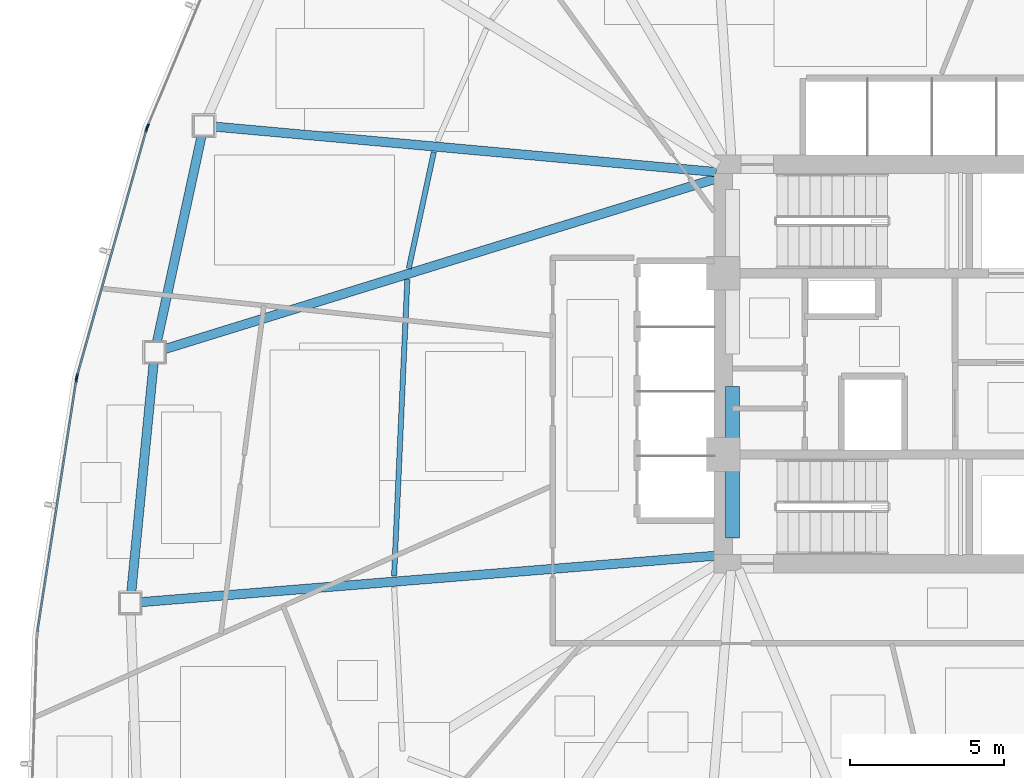
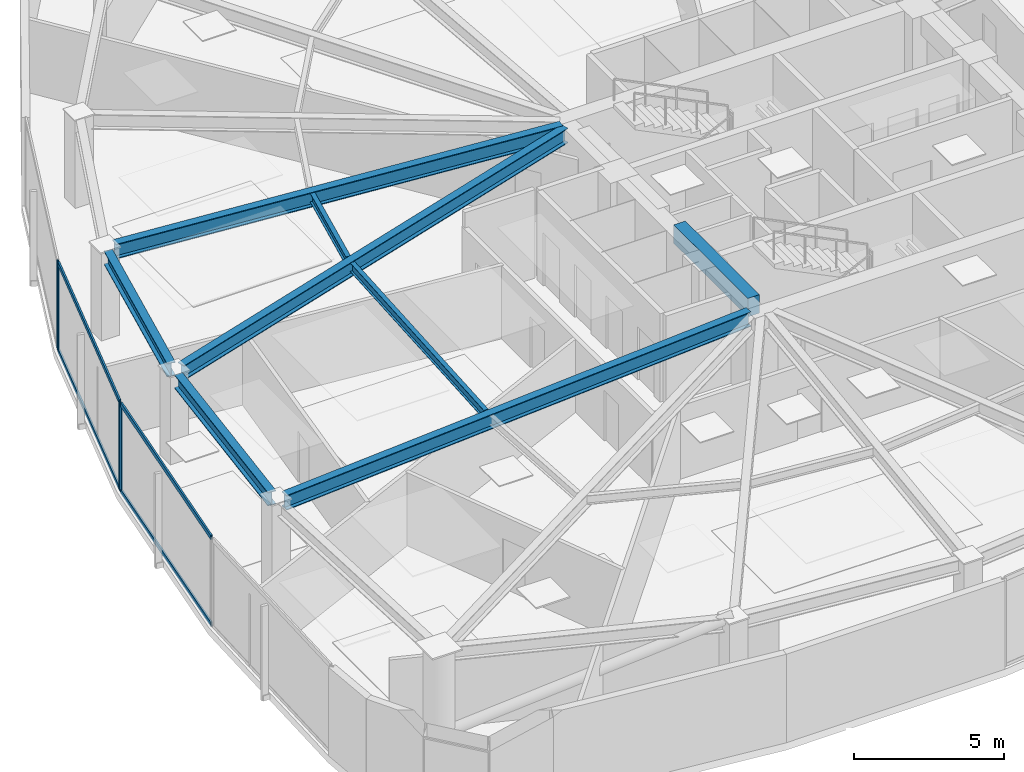
# One storey, part 4 of 17: 8 beams, 8 members, 3 elements without a shape of their own.
"""IFC4 building model written with IfcOpenShell, lengths in metres."""

from ifc_helpers import new_model, si_unit, direction, frame, origin, origin_2d, place, context, subcontext, project, spatial, rectangle, hollow_rectangle, i_section, extrude, source, transform, mapped, material, layer, layer_set, material_profile, profile_set, type_object, type_shapes, element, aggregate, save


model = new_model("IFC4")

# Units and contexts
model_context = context("Model", 3, precision=1e-05, world=origin(), true_north=direction((0.0, 1.0)))
body_context = subcontext(model_context, "Body", "Model", "MODEL_VIEW")
ifc_project = project(units=[si_unit("LENGTHUNIT", "METRE"), si_unit("AREAUNIT", "SQUARE_METRE"), si_unit("VOLUMEUNIT", "CUBIC_METRE"), si_unit("PLANEANGLEUNIT", "RADIAN"), si_unit("MASSUNIT", "GRAM", prefix="KILO")], contexts=[model_context])

# Site, building, storey
site_placement = place(None, origin())
site = spatial("IfcSite", under=ifc_project, at=site_placement, CompositionType="ELEMENT")
building_placement = place(site_placement, origin())
building = spatial("IfcBuilding", under=site, at=building_placement, Name="Tavelor Broadcast Tower", CompositionType="ELEMENT")
storey_placement = place(building_placement, frame((0.0, 0.0, 70.5)))
storey = spatial("IfcBuildingStorey", under=building, at=storey_placement, Name="L16", CompositionType="ELEMENT", Elevation=70.5)

# Beams
ifc_material_1 = material(Name="Concrete C40/50", Category="concrete")
ifc_material_profile_1 = material_profile(ifc_material_1, rectangle(XDim=0.449951171875, YDim=0.75, at=origin_2d()), Name="RC 450x750")
ifc_profile_set_1 = profile_set([ifc_material_profile_1], Name="Concrete C40/50")
beam_type_1 = type_object("IfcBeamType", Name="Basement Core Trim Beam 450x750", PredefinedType="BEAM", material=ifc_profile_set_1)
beam_1_placement = place(storey_placement, frame((43.39990234375, 39.327880859375, 3.22509765625), z_axis=(0.0, 1.0, 0.0), x_axis=(-1.0, 0.0, 0.0)))
element("IfcBeam", 1, at=beam_1_placement, inside=storey, type_object=beam_type_1, Name="L16 Core West-S Tie Girder", PredefinedType="BEAM", context=body_context, shape_type="SweptSolid", body=[
    extrude(rectangle(XDim=0.449951171875, YDim=0.75, at=origin_2d()), origin(), (0.0, 0.0, 1.0), 4.944091796875),
])
ifc_material_2 = material(Name="Steel S355", Category="steel")
ifc_material_profile_2 = material_profile(ifc_material_2, i_section(OverallWidth=0.169921875, OverallDepth=0.360107421875, WebThickness=0.008056640625, FlangeThickness=0.0126953125, at=origin_2d()), Name="IPE 360")
ifc_profile_set_2 = profile_set([ifc_material_profile_2], Name="Steel S355")
beam_type_2 = type_object("IfcBeamType", Name="Composite Floor Joist T2 IPE 360", PredefinedType="JOIST", material=ifc_profile_set_2)
beam_2_placement = place(storey_placement, frame((33.679931640625, 51.899658203125, 3.419921875), z_axis=(-0.210632825907, -0.97756524726, 0.0), x_axis=(0.97756524726, -0.210632825907, 0.0)))
element("IfcBeam", 2, at=beam_2_placement, inside=storey, type_object=beam_type_2, Name="L16 Secondary Composite Floor Joist 04", PredefinedType="JOIST", context=body_context, shape_type="SweptSolid", body=[
    extrude(i_section(OverallWidth=0.169921875, OverallDepth=0.360107421875, WebThickness=0.008056640625, FlangeThickness=0.0126953125, at=origin_2d()), origin(), (0.0, 0.0, 1.0), 3.8818359375),
])
beam_3_placement = place(storey_placement, frame((32.816162109375, 47.747314453125, 3.419921875), z_axis=(-0.044602263152, -0.999004823873, 0.0), x_axis=(0.999004823873, -0.044602263152, 0.0)))
element("IfcBeam", 3, at=beam_3_placement, inside=storey, type_object=beam_type_2, Name="L16 Secondary Composite Floor Joist 05", PredefinedType="JOIST", context=body_context, shape_type="SweptSolid", body=[
    extrude(i_section(OverallWidth=0.169921875, OverallDepth=0.360107421875, WebThickness=0.008056640625, FlangeThickness=0.0126953125, at=origin_2d()), origin(), (0.0, 0.0, 1.0), 9.66650390625),
])
ifc_material_profile_3 = material_profile(ifc_material_2, i_section(OverallWidth=0.300048828125, OverallDepth=0.550048828125, WebThickness=0.014892578125, FlangeThickness=0.029052734375, at=origin_2d()), Name="HEB 550")
ifc_profile_set_3 = profile_set([ifc_material_profile_3], Name="Steel S355")
beam_type_3 = type_object("IfcBeamType", Name="Perimeter Spandrel Beam T2 HEB 550", PredefinedType="SPANDREL", material=ifc_profile_set_3)
beam_4_placement = place(storey_placement, frame((26.1181640625, 52.4296875, 3.324951171875), z_axis=(-0.211875421449, -0.977296682582, 0.0), x_axis=(0.977296682582, -0.211875421449, 0.0)))
element("IfcBeam", 4, at=beam_4_placement, inside=storey, type_object=beam_type_3, Name="L16 Framed-Tube Ring Spandrel 04", PredefinedType="SPANDREL", context=body_context, shape_type="SweptSolid", body=[
    extrude(i_section(OverallWidth=0.300048828125, OverallDepth=0.550048828125, WebThickness=0.014892578125, FlangeThickness=0.029052734375, at=origin_2d()), origin(), (0.0, 0.0, 1.0), 6.876708984375),
])
beam_5_placement = place(storey_placement, frame((24.557373046875, 45.04638671875, 3.324951171875), z_axis=(-0.096929220198, -0.9952912771, 0.0), x_axis=(0.9952912771, -0.096929220198, 0.0)))
element("IfcBeam", 5, at=beam_5_placement, inside=storey, type_object=beam_type_3, Name="L16 Framed-Tube Ring Spandrel 05", PredefinedType="SPANDREL", context=body_context, shape_type="SweptSolid", body=[
    extrude(i_section(OverallWidth=0.300048828125, OverallDepth=0.550048828125, WebThickness=0.014892578125, FlangeThickness=0.029052734375, at=origin_2d()), origin(), (0.0, 0.0, 1.0), 7.531005859375),
])
ifc_material_profile_4 = material_profile(ifc_material_2, i_section(OverallWidth=0.300048828125, OverallDepth=0.60009765625, WebThickness=0.015380859375, FlangeThickness=0.030029296875, at=origin_2d()), Name="HEB 600")
ifc_profile_set_4 = profile_set([ifc_material_profile_4], Name="Steel S355")
beam_type_4 = type_object("IfcBeamType", Name="Radial Floor Girder T2 HEB 600", PredefinedType="BEAM", material=ifc_profile_set_4)
beam_6_placement = place(storey_placement, frame((42.874267578125, 51.24755859375, 3.300048828125), z_axis=(-0.99592702313, 0.090162989073, 0.0), x_axis=(-0.090162989073, -0.99592702313, 0.0)))
element("IfcBeam", 6, at=beam_6_placement, inside=storey, type_object=beam_type_4, Name="L16 Radial Primary Floor Girder 04", PredefinedType="BEAM", context=body_context, shape_type="SweptSolid", body=[
    extrude(i_section(OverallWidth=0.300048828125, OverallDepth=0.60009765625, WebThickness=0.015380859375, FlangeThickness=0.030029296875, at=origin_2d()), origin(), (0.0, 0.0, 1.0), 16.417236328125),
])
beam_7_placement = place(storey_placement, frame((42.8955078125, 51.0439453125, 3.300048828125), z_axis=(-0.9553264377, -0.295552698231, 0.0), x_axis=(0.295552698231, -0.9553264377, 0.0)))
element("IfcBeam", 7, at=beam_7_placement, inside=storey, type_object=beam_type_4, Name="L16 Radial Primary Floor Girder 05", PredefinedType="BEAM", context=body_context, shape_type="SweptSolid", body=[
    extrude(i_section(OverallWidth=0.300048828125, OverallDepth=0.60009765625, WebThickness=0.015380859375, FlangeThickness=0.030029296875, at=origin_2d()), origin(), (0.0, 0.0, 1.0), 18.82568359375),
])
beam_8_placement = place(storey_placement, frame((42.873779296875, 38.757568359375, 3.300048828125), z_axis=(-0.996753141144, -0.080518169498, 0.0), x_axis=(0.080518169498, -0.996753141144, 0.0)))
element("IfcBeam", 8, at=beam_8_placement, inside=storey, type_object=beam_type_4, Name="L16 Radial Primary Floor Girder 06", PredefinedType="BEAM", context=body_context, shape_type="SweptSolid", body=[
    extrude(i_section(OverallWidth=0.300048828125, OverallDepth=0.60009765625, WebThickness=0.015380859375, FlangeThickness=0.030029296875, at=origin_2d()), origin(), (0.0, 0.0, 1.0), 18.80517578125),
])

# Curtain wall, member
ifc_material_3 = material(Name="Architectural Anodized Aluminium", Category="aluminium")
ifc_layer = layer(ifc_material_3, 0.179931640625)
ifc_layer_set = layer_set([ifc_layer], Name="Architectural Anodized Aluminium")
curtain_wall_type = type_object("IfcCurtainWallType", Name="Tower Low-Zone Unitised Curtain Wall CW02", PredefinedType="NOTDEFINED", material=ifc_layer_set)
curtain_wall_1_placement = place(storey_placement, origin())
curtain_wall_1 = element("IfcCurtainWall", 9, at=curtain_wall_1_placement, inside=storey, type_object=curtain_wall_type, Name="L16 Curtain Wall CW02 Run 145", PredefinedType="NOTDEFINED")
ifc_material_profile_5 = material_profile(ifc_material_3, hollow_rectangle(XDim=0.06494140625, YDim=0.179931640625, WallThickness=0.02197265625, at=origin_2d()), Name="RHS 65x180x22")
ifc_profile_set_5 = profile_set([ifc_material_profile_5], Name="Architectural Anodized Aluminium")
member_type_1 = type_object("IfcMemberType", Name="CW02 Extruded Aluminium Mullion 65x180", PredefinedType="MULLION", material=ifc_profile_set_5)
shared_shape_1 = source(origin(), body_context, "Body", "SweptSolid", [
    extrude(hollow_rectangle(XDim=0.06494140625, YDim=0.179931640625, WallThickness=0.02197265625, at=origin_2d()), origin(), (0.0, 0.0, 1.0), 3.60009765625),
])
type_shapes(member_type_1, [shared_shape_1])
member_1_placement = place(storey_placement, frame((24.35791015625, 52.72607421875, 0.0), z_axis=(0.0, 0.0, 1.0), x_axis=(0.922706747072, -0.385502605579, 0.0)))
member_1 = element("IfcMember", 10, at=member_1_placement, type_object=member_type_1, Name="CW02 mullion 2", PredefinedType="MULLION", context=body_context, shape_type="MappedRepresentation", body=[
    mapped(shared_shape_1, transform((0.0, 0.0, 0.0), scale=1.0)),
])
aggregate(curtain_wall_1, [member_1])

# Curtain wall, members
curtain_wall_2_placement = place(storey_placement, origin())
curtain_wall_2 = element("IfcCurtainWall", 11, at=curtain_wall_2_placement, inside=storey, type_object=curtain_wall_type, Name="L16 Curtain Wall CW02 Run 146", PredefinedType="NOTDEFINED")
member_2_placement = place(storey_placement, frame((24.326904296875, 52.636474609375, 0.0), z_axis=(0.0, 0.0, 1.0), x_axis=(0.962571566697, -0.271027635098, 0.0)))
member_2 = element("IfcMember", 12, at=member_2_placement, type_object=member_type_1, Name="CW02 mullion 1", PredefinedType="MULLION", context=body_context, shape_type="MappedRepresentation", body=[
    mapped(shared_shape_1, transform((0.0, 0.0, 0.0), scale=1.0)),
])
member_3_placement = place(storey_placement, frame((22.062744140625, 44.595458984375, 0.0), z_axis=(0.0, 0.0, 1.0), x_axis=(0.962571566697, -0.271027635098, 0.0)))
member_3 = element("IfcMember", 13, at=member_3_placement, type_object=member_type_1, Name="CW02 mullion 2", PredefinedType="MULLION", context=body_context, shape_type="MappedRepresentation", body=[
    mapped(shared_shape_1, transform((0.0, 0.0, 0.0), scale=1.0)),
])

# Curtain wall, member
curtain_wall_3_placement = place(storey_placement, origin())
curtain_wall_3 = element("IfcCurtainWall", 14, at=curtain_wall_3_placement, inside=storey, type_object=curtain_wall_type, Name="L16 Curtain Wall CW02 Run 147", PredefinedType="NOTDEFINED")
member_4_placement = place(storey_placement, frame((22.042724609375, 44.502685546875, 0.0), z_axis=(0.0, 0.0, 1.0), x_axis=(0.988296598342, -0.152544530238, 0.0)))
member_4 = element("IfcMember", 15, at=member_4_placement, type_object=member_type_1, Name="CW02 mullion 1", PredefinedType="MULLION", context=body_context, shape_type="MappedRepresentation", body=[
    mapped(shared_shape_1, transform((0.0, 0.0, 0.0), scale=1.0)),
])

# Member
ifc_material_profile_6 = material_profile(ifc_material_3, hollow_rectangle(XDim=0.06494140625, YDim=0.179931640625, WallThickness=0.02197265625, at=origin_2d()), Name="RHS 65x180x22")
ifc_profile_set_6 = profile_set([ifc_material_profile_6], Name="Architectural Anodized Aluminium")
member_type_2 = type_object("IfcMemberType", Name="CW02 Extruded Aluminium Transom 65x180", PredefinedType="USERDEFINED", material=ifc_profile_set_6)
shared_shape_2 = source(origin(), body_context, "Body", "SweptSolid", [
    extrude(hollow_rectangle(XDim=0.06494140625, YDim=0.179931640625, WallThickness=0.02197265625, at=origin_2d()), origin(), (0.0, 0.0, 1.0), 8.288818359375),
])
member_5_placement = place(storey_placement, frame((24.31787109375, 52.605224609375, 0.032470703125), z_axis=(-0.27101169747, -0.962576054052, 0.0), x_axis=(0.962576054052, -0.27101169747, 0.0)))
member_5 = element("IfcMember", 16, at=member_5_placement, type_object=member_type_2, Name="CW02 transom 1.1", ObjectType="TRANSOM", PredefinedType="USERDEFINED", context=body_context, shape_type="MappedRepresentation", body=[
    mapped(shared_shape_2, transform((0.0, 0.0, 0.0), scale=1.0)),
])

member_6_placement = place(storey_placement, frame((24.31787109375, 52.605224609375, 3.5673828125), z_axis=(-0.27101169747, -0.962576054052, 0.0), x_axis=(0.962576054052, -0.27101169747, 0.0)))
member_6 = element("IfcMember", 17, at=member_6_placement, type_object=member_type_2, Name="CW02 transom 1.2", ObjectType="TRANSOM", PredefinedType="USERDEFINED", context=body_context, shape_type="MappedRepresentation", body=[
    mapped(shared_shape_2, transform((0.0, 0.0, 0.0), scale=1.0)),
])

aggregate(curtain_wall_2, [member_2, member_3, member_5, member_6])

shared_shape_3 = source(origin(), body_context, "Body", "SweptSolid", [
    extrude(hollow_rectangle(XDim=0.06494140625, YDim=0.179931640625, WallThickness=0.02197265625, at=origin_2d()), origin(), (0.0, 0.0, 1.0), 8.28857421875),
])
type_shapes(member_type_2, [shared_shape_2, shared_shape_3])
member_7_placement = place(storey_placement, frame((22.03759765625, 44.470703125, 0.032470703125), z_axis=(-0.152546319334, -0.988296322192, 0.0), x_axis=(0.988296322192, -0.152546319334, 0.0)))
member_7 = element("IfcMember", 18, at=member_7_placement, type_object=member_type_2, Name="CW02 transom 1.1", ObjectType="TRANSOM", PredefinedType="USERDEFINED", context=body_context, shape_type="MappedRepresentation", body=[
    mapped(shared_shape_3, transform((0.0, 0.0, 0.0), scale=1.0)),
])

member_8_placement = place(storey_placement, frame((22.03759765625, 44.470703125, 3.5673828125), z_axis=(-0.152546319334, -0.988296322192, 0.0), x_axis=(0.988296322192, -0.152546319334, 0.0)))
member_8 = element("IfcMember", 19, at=member_8_placement, type_object=member_type_2, Name="CW02 transom 1.2", ObjectType="TRANSOM", PredefinedType="USERDEFINED", context=body_context, shape_type="MappedRepresentation", body=[
    mapped(shared_shape_3, transform((0.0, 0.0, 0.0), scale=1.0)),
])

aggregate(curtain_wall_3, [member_4, member_7, member_8])

save(model, "model.ifc")
